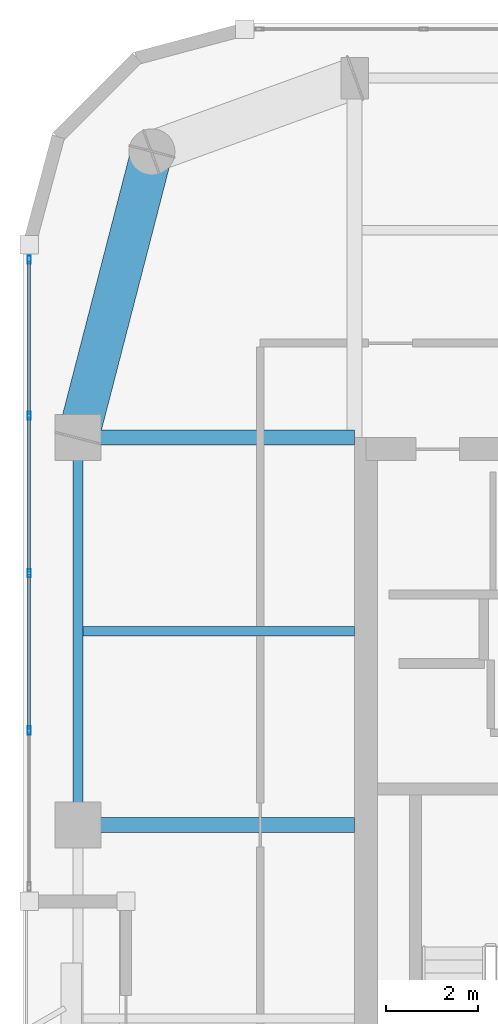
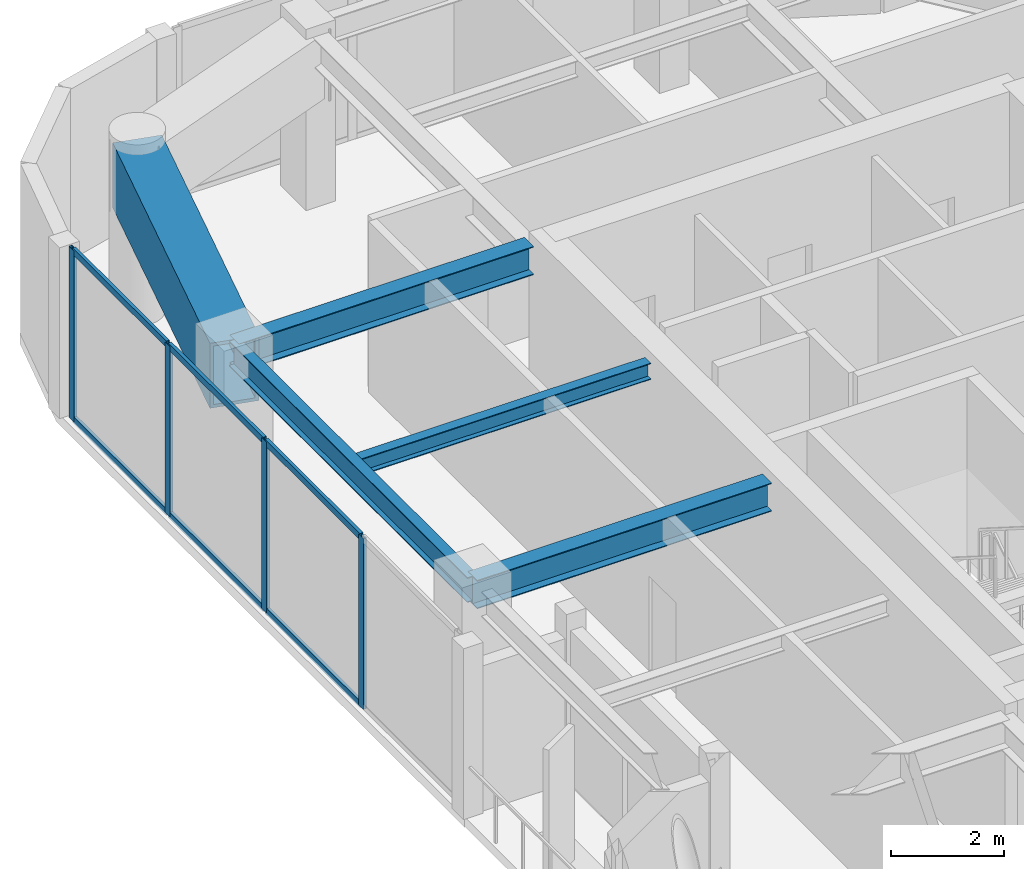
# One storey, part 4 of 15: 10 members, 5 beams, 1 element without a shape of its own.
"""IFC4 building model written with IfcOpenShell, lengths in metres."""

import ifcopenshell
import ifcopenshell.guid

model = None  # the IFC model being written
_history = None  # IfcOwnerHistory: only IFC2X3 demands one
_inside = {}  # id of a spatial element -> (the spatial element, [elements in it])
_under = {}  # id of a project, library or spatial element -> (it, [spatial elements below it])
_declared = {}  # id of a project -> (the project, [libraries it declares])
_typed = {}  # id of a type object -> (the type object, [elements of that type])
_made_of = {}  # id of a material, layer set ... -> (it, [elements and type objects made of it])


def new_model(schema):
    """Start an empty IFC model of exactly this schema.

    Asked for "IFC4X3", IfcOpenShell would pick the latest addendum, in which some entities
    have other attributes; the version numbers below select the first issue.
    IFC2X3 requires an IfcOwnerHistory on every rooted entity: one is made here for all.
    """
    global model, _history
    if schema == "IFC4X3":
        model = ifcopenshell.file(schema_version=(4, 3, 0, 0))
    else:
        model = ifcopenshell.file(schema=schema)
    _inside.clear()
    _under.clear()
    _declared.clear()
    _typed.clear()
    _made_of.clear()
    _history = None
    if model.schema == "IFC2X3":
        org = make("IfcOrganization", Name="unknown")
        user = make(
            "IfcPersonAndOrganization",
            ThePerson=make("IfcPerson", FamilyName="unknown"),
            TheOrganization=org,
        )
        app = make(
            "IfcApplication",
            ApplicationDeveloper=org,
            Version="unknown",
            ApplicationFullName="unknown",
            ApplicationIdentifier="unknown",
        )
        _history = make(
            "IfcOwnerHistory",
            OwningUser=user,
            OwningApplication=app,
            ChangeAction="ADDED",
            CreationDate=0,
        )
    return model


def make(cls, **values):
    """One entity of the class cls with the attributes given. An attribute that is None is left unset."""
    return model.create_entity(
        cls, **{name: value for name, value in values.items() if value is not None}
    )


def rooted(cls, **values):
    """An entity with a GlobalId (a new one), such as an element, a storey or a relation."""
    return make(cls, GlobalId=ifcopenshell.guid.new(), OwnerHistory=_history, **values)


def si_unit(unit_type, name, prefix=None):
    """IfcSIUnit, for example si_unit("LENGTHUNIT", "METRE", prefix="MILLI")."""
    return make("IfcSIUnit", UnitType=unit_type, Prefix=prefix, Name=name)


def assignment(units):
    """IfcUnitAssignment: the units of a project."""
    return None if units is None else make("IfcUnitAssignment", Units=units)


def point(xyz):
    """IfcCartesianPoint."""
    return None if xyz is None else make("IfcCartesianPoint", Coordinates=xyz)


def direction(xyz):
    """IfcDirection."""
    return None if xyz is None else make("IfcDirection", DirectionRatios=xyz)


def frame(location, z_axis=None, x_axis=None):
    """IfcAxis2Placement3D, a coordinate frame: its origin and axes. An axis left out is left unset."""
    return make(
        "IfcAxis2Placement3D",
        Location=point(location),
        Axis=direction(z_axis),
        RefDirection=direction(x_axis),
    )


def frame_2d(location, x_axis=None):
    """IfcAxis2Placement2D, a coordinate frame in the plane: its origin and x axis."""
    return make(
        "IfcAxis2Placement2D", Location=point(location), RefDirection=direction(x_axis)
    )


def origin():
    """The frame at (0, 0, 0) with its axes left unset."""
    return frame((0.0, 0.0, 0.0))


def origin_2d():
    """The frame at (0, 0) in the plane with its x axis left unset."""
    return frame_2d((0.0, 0.0))


def place(relative_to, where):
    """IfcLocalPlacement: puts the frame where relative to a parent placement (None: the world)."""
    return make(
        "IfcLocalPlacement", PlacementRelTo=relative_to, RelativePlacement=where
    )


def context(
    kind, dimensions, precision=None, world=None, true_north=None, identifier=None
):
    """IfcGeometricRepresentationContext, for example the 3D "Model" context."""
    return make(
        "IfcGeometricRepresentationContext",
        ContextIdentifier=identifier,
        ContextType=kind,
        CoordinateSpaceDimension=dimensions,
        Precision=precision,
        WorldCoordinateSystem=world,
        TrueNorth=true_north,
    )


def subcontext(parent, identifier, kind, view, scale=None):
    """IfcGeometricRepresentationSubContext, for example "Body" below "Model"."""
    return make(
        "IfcGeometricRepresentationSubContext",
        ContextIdentifier=identifier,
        ContextType=kind,
        ParentContext=parent,
        TargetScale=scale,
        TargetView=view,
    )


def project(units=None, contexts=None):
    """IfcProject with its units and contexts."""
    return rooted(
        "IfcProject",
        Name="project",
        RepresentationContexts=contexts,
        UnitsInContext=assignment(units),
    )


def spatial(cls, under=None, at=None, **own):
    """A site, building, storey or space (cls), placed at a placement, below another one or the project."""
    s = rooted(cls, ObjectPlacement=at, **own)
    if under is not None:
        _under.setdefault(under.id(), (under, []))[1].append(s)
    return s


def profile(cls, at=None, kind="AREA", **sizes):
    """A parametric profile (cls). Its sizes go by their IFC names, for example OverallWidth=200.0."""
    return make(cls, ProfileType=kind, Position=at, **sizes)


def hollow_rectangle(**sizes):
    """IfcRectangleHollowProfileDef."""
    return profile("IfcRectangleHollowProfileDef", **sizes)


def i_section(**sizes):
    """IfcIShapeProfileDef."""
    return profile("IfcIShapeProfileDef", **sizes)


def extrude(swept, where, along, depth):
    """IfcExtrudedAreaSolid: the profile swept, set in the frame where, extruded along a direction by depth."""
    return make(
        "IfcExtrudedAreaSolid",
        SweptArea=swept,
        Position=where,
        ExtrudedDirection=direction(along),
        Depth=depth,
    )


def shape(context_of_items, identifier, shape_type, items):
    """IfcShapeRepresentation: the items that make up one representation, for example the "Body"."""
    return make(
        "IfcShapeRepresentation",
        ContextOfItems=context_of_items,
        RepresentationIdentifier=identifier,
        RepresentationType=shape_type,
        Items=items,
    )


def material(Name=None, Category=None):
    """IfcMaterial."""
    return make("IfcMaterial", Name=Name, Category=Category)


def layer(
    of_material, thickness, ventilated=None, Name=None, Category=None, Priority=None
):
    """IfcMaterialLayer: one layer of a wall or slab, of a material (None: an air gap)."""
    return make(
        "IfcMaterialLayer",
        Material=of_material,
        LayerThickness=thickness,
        IsVentilated=ventilated,
        Name=Name,
        Category=Category,
        Priority=Priority,
    )


def layer_set(layers, Name=None):
    """IfcMaterialLayerSet."""
    return make("IfcMaterialLayerSet", MaterialLayers=layers, LayerSetName=Name)


def material_profile(
    of_material, cross_section, Name=None, Category=None, Priority=None
):
    """IfcMaterialProfile: a cross section and its material."""
    return make(
        "IfcMaterialProfile",
        Name=Name,
        Material=of_material,
        Profile=cross_section,
        Priority=Priority,
        Category=Category,
    )


def profile_set(profiles, Name=None, composite=None):
    """IfcMaterialProfileSet."""
    return make(
        "IfcMaterialProfileSet",
        Name=Name,
        MaterialProfiles=profiles,
        CompositeProfile=composite,
    )


def made_of(thing, what):
    """Note that an element or type object is made of a material, layer set ...; save() writes the relation."""
    if what is not None:
        _made_of.setdefault(what.id(), (what, []))[1].append(thing)
    return thing


def type_object(cls, material=None, **own):
    """A type object (cls), such as IfcWallType, which elements share."""
    return made_of(rooted(cls, **own), material)


def element(
    cls,
    number,
    at=None,
    inside=None,
    cuts=None,
    type_object=None,
    material=None,
    context=None,
    identifier="Body",
    shape_type=None,
    held_by="IfcProductDefinitionShape",
    body=None,
    shapes=None,
    **own,
):
    """One element of the class cls, such as IfcWall. Its Tag is "e" and its number.

    at: its placement. inside: the storey or other place that contains it. cuts: it is an
    opening in that element (IfcRelVoidsElement). A single representation is given by context,
    identifier, shape_type and body (its items); several are given by shapes. held_by: the class
    of the entity that holds the representations. save() writes the other relations.
    """
    e = rooted(cls, Tag="e%d" % number, ObjectPlacement=at, **own)
    if body is not None:
        shapes = [shape(context, identifier, shape_type, body)]
    if shapes is not None:
        e.Representation = make(held_by, Representations=shapes)
    if inside is not None:
        _inside.setdefault(inside.id(), (inside, []))[1].append(e)
    if cuts is not None:
        rooted(
            "IfcRelVoidsElement", RelatingBuildingElement=cuts, RelatedOpeningElement=e
        )
    if type_object is not None:
        _typed.setdefault(type_object.id(), (type_object, []))[1].append(e)
    return made_of(e, material)


def aggregate(whole, parts):
    """IfcRelAggregates: a whole, such as a stair, and the parts it consists of."""
    return rooted("IfcRelAggregates", RelatingObject=whole, RelatedObjects=parts)


def save(model, path):
    """Write the relations noted so far, then the file.

    IfcRelAggregates (storeys below a building ...), IfcRelContainedInSpatialStructure (elements
    in a storey), IfcRelDefinesByType, IfcRelAssociatesMaterial and IfcRelDeclares: one each for
    every whole, place, type object, material and project.
    """
    for whole, parts in _under.values():
        aggregate(whole, parts)
    for where, things in _inside.values():
        rooted(
            "IfcRelContainedInSpatialStructure",
            RelatedElements=things,
            RelatingStructure=where,
        )
    for kind, things in _typed.values():
        rooted("IfcRelDefinesByType", RelatedObjects=things, RelatingType=kind)
    for what, things in _made_of.values():
        rooted("IfcRelAssociatesMaterial", RelatedObjects=things, RelatingMaterial=what)
    for by, libraries in _declared.values():
        rooted("IfcRelDeclares", RelatingContext=by, RelatedDefinitions=libraries)
    model.write(path)


model = new_model("IFC4")

# Units and contexts
model_context = context("Model", 3, precision=1e-05, world=origin(), true_north=direction((0.0, 1.0)))
body_context = subcontext(model_context, "Body", "Model", "MODEL_VIEW")
ifc_project = project(units=[si_unit("LENGTHUNIT", "METRE"), si_unit("AREAUNIT", "SQUARE_METRE"), si_unit("VOLUMEUNIT", "CUBIC_METRE"), si_unit("PLANEANGLEUNIT", "RADIAN"), si_unit("MASSUNIT", "GRAM", prefix="KILO")], contexts=[model_context])

# Site, building, storey
site_placement = place(None, origin())
site = spatial("IfcSite", under=ifc_project, at=site_placement, CompositionType="ELEMENT")
building_placement = place(site_placement, origin())
building = spatial("IfcBuilding", under=site, at=building_placement, Name="Kiyonajd Concourse Tower", CompositionType="ELEMENT")
storey_placement = place(building_placement, frame((0.0, 0.0, 270.60009765625)))
storey = spatial("IfcBuildingStorey", under=building, at=storey_placement, Name="L68", CompositionType="ELEMENT", Elevation=270.60009765625)

# Beams
ifc_material_1 = material(Name="Steel ASTM A992 Grade 50", Category="steel")
ifc_material_profile_1 = material_profile(ifc_material_1, i_section(OverallWidth=0.205078125, OverallDepth=0.35400390625, WebThickness=0.009521484375, FlangeThickness=0.016845703125, at=origin_2d()), Name="W360X79")
ifc_profile_set_1 = profile_set([ifc_material_profile_1], Name="Steel ASTM A992 Grade 50")
beam_type_1 = type_object("IfcBeamType", Name="BM-JST-360", PredefinedType="JOIST", material=ifc_profile_set_1)
beam_1_placement = place(storey_placement, frame((26.505615234375, 40.199951171875, 3.5029296875), z_axis=(1.0, 0.0, 0.0), x_axis=(0.0, 1.0, 0.0)))
element("IfcBeam", 1, at=beam_1_placement, inside=storey, type_object=beam_type_1, Name="L68 West Secondary Floor Joist", PredefinedType="JOIST", context=body_context, shape_type="SweptSolid", body=[
    extrude(i_section(OverallWidth=0.205078125, OverallDepth=0.35400390625, WebThickness=0.009521484375, FlangeThickness=0.016845703125, at=origin_2d()), origin(), (0.0, 0.0, 1.0), 5.894287109375),
])
ifc_material_profile_2 = material_profile(ifc_material_1, i_section(OverallWidth=0.2109375, OverallDepth=0.5390625, WebThickness=0.01171875, FlangeThickness=0.018798828125, at=origin_2d()), Name="W530X109")
ifc_profile_set_2 = profile_set([ifc_material_profile_2], Name="Steel ASTM A992 Grade 50")
beam_type_2 = type_object("IfcBeamType", Name="BM-SPAN-530B", PredefinedType="SPANDREL", material=ifc_profile_set_2)
beam_2_placement = place(storey_placement, frame((26.39990234375, 44.39990234375, 3.410400390625), z_axis=(0.0, -1.0, 0.0), x_axis=(1.0, 0.0, 0.0)))
element("IfcBeam", 2, at=beam_2_placement, inside=storey, type_object=beam_type_2, Name="L68 Perimeter Bundled Tube Spandrel", PredefinedType="SPANDREL", context=body_context, shape_type="SweptSolid", body=[
    extrude(i_section(OverallWidth=0.2109375, OverallDepth=0.5390625, WebThickness=0.01171875, FlangeThickness=0.018798828125, at=origin_2d()), origin(), (0.0, 0.0, 1.0), 8.39990234375),
])
ifc_material_profile_3 = material_profile(ifc_material_1, i_section(OverallWidth=0.323974609375, OverallDepth=0.611083984375, WebThickness=0.0126953125, FlangeThickness=0.01904296875, at=origin_2d()), Name="W610X155")
ifc_profile_set_3 = profile_set([ifc_material_profile_3], Name="Steel ASTM A992 Grade 50")
beam_type_3 = type_object("IfcBeamType", Name="BM-TWR-610B", PredefinedType="BEAM", material=ifc_profile_set_3)
for number, where, z_axis, x_axis, name in (
    (3, (26.39990234375, 36.0, 3.37451171875), (1.0, 0.0, 0.0), (0.0, 1.0, 0.0), "L68 West Lease Girder"),
    (4, (26.39990234375, 44.39990234375, 3.37451171875), (1.0, 0.0, 0.0), (0.0, 1.0, 0.0), "L68 West Lease Girder"),
):
    element("IfcBeam", number, at=place(storey_placement, frame(where, z_axis=z_axis, x_axis=x_axis)), inside=storey, type_object=beam_type_3, Name=name, PredefinedType="BEAM", context=body_context, shape_type="SweptSolid", body=[
        extrude(i_section(OverallWidth=0.323974609375, OverallDepth=0.611083984375, WebThickness=0.0126953125, FlangeThickness=0.01904296875, at=origin_2d()), origin(), (0.0, 0.0, 1.0), 6.0),
    ])
ifc_material_2 = material(Name="Steel ASTM A572 Grade 50", Category="steel")
ifc_material_profile_4 = material_profile(ifc_material_2, hollow_rectangle(XDim=0.89990234375, YDim=1.39990234375, WallThickness=0.070068359375, at=origin_2d()), Name="BOX-1400x900x70")
ifc_profile_set_4 = profile_set([ifc_material_profile_4], Name="Steel ASTM A572 Grade 50")
beam_type_4 = type_object("IfcBeamType", Name="BM-XFER-1400", PredefinedType="BEAM", material=ifc_profile_set_4)
beam_3_placement = place(storey_placement, frame((28.0, 50.60009765625, 2.97998046875), z_axis=(-0.249884937687, -0.968275538221, 0.0), x_axis=(0.968275538221, -0.249884937687, 0.0)))
element("IfcBeam", 5, at=beam_3_placement, inside=storey, type_object=beam_type_4, Name="L68 Perimeter Bundled Tube Spandrel", PredefinedType="BEAM", context=body_context, shape_type="SweptSolid", body=[
    extrude(hollow_rectangle(XDim=0.89990234375, YDim=1.39990234375, WallThickness=0.070068359375, at=origin_2d()), origin(), (0.0, 0.0, 1.0), 6.4033203125),
])

# Curtain wall, members
ifc_material_3 = material(Name="Thermally Broken Anodised Aluminium", Category="aluminium")
ifc_layer = layer(ifc_material_3, 0.179931640625)
ifc_layer_set = layer_set([ifc_layer], Name="Thermally Broken Anodised Aluminium")
curtain_wall_type = type_object("IfcCurtainWallType", Name="CW-SYS-04", PredefinedType="NOTDEFINED", material=ifc_layer_set)
curtain_wall_placement = place(storey_placement, origin())
curtain_wall = element("IfcCurtainWall", 6, at=curtain_wall_placement, inside=storey, type_object=curtain_wall_type, Name="L68 Unitised Curtain Wall CW4", PredefinedType="NOTDEFINED")
ifc_material_profile_5 = material_profile(ifc_material_3, hollow_rectangle(XDim=0.06494140625, YDim=0.179931640625, WallThickness=0.00390625, at=origin_2d()), Name="MULL-65x180")
ifc_profile_set_5 = profile_set([ifc_material_profile_5], Name="Thermally Broken Anodised Aluminium")
member_type_1 = type_object("IfcMemberType", Name="MB-CW-MULL1", PredefinedType="MULLION", material=ifc_profile_set_5)
member_1_placement = place(storey_placement, frame((25.340087890625, 38.04541015625, 0.0), z_axis=(0.0, 0.0, 1.0), x_axis=(-1.0, 0.0, 0.0)))
member_1 = element("IfcMember", 7, at=member_1_placement, type_object=member_type_1, Name="CW4 mullion 2", PredefinedType="MULLION", context=body_context, shape_type="SweptSolid", body=[
    extrude(hollow_rectangle(XDim=0.06494140625, YDim=0.179931640625, WallThickness=0.00390625, at=origin_2d()), origin(), (0.0, 0.0, 1.0), 3.679931640625),
])
member_2_placement = place(storey_placement, frame((25.340087890625, 41.460693359375, 0.0), z_axis=(0.0, 0.0, 1.0), x_axis=(-1.0, 0.0, 0.0)))
member_2 = element("IfcMember", 8, at=member_2_placement, type_object=member_type_1, Name="CW4 mullion 3", PredefinedType="MULLION", context=body_context, shape_type="SweptSolid", body=[
    extrude(hollow_rectangle(XDim=0.06494140625, YDim=0.179931640625, WallThickness=0.00390625, at=origin_2d()), origin(), (0.0, 0.0, 1.0), 3.679931640625),
])
member_3_placement = place(storey_placement, frame((25.340087890625, 44.876220703125, 0.0), z_axis=(0.0, 0.0, 1.0), x_axis=(-1.0, 0.0, 0.0)))
member_3 = element("IfcMember", 9, at=member_3_placement, type_object=member_type_1, Name="CW4 mullion 4", PredefinedType="MULLION", context=body_context, shape_type="SweptSolid", body=[
    extrude(hollow_rectangle(XDim=0.06494140625, YDim=0.179931640625, WallThickness=0.00390625, at=origin_2d()), origin(), (0.0, 0.0, 1.0), 3.679931640625),
])
member_4_placement = place(storey_placement, frame((25.340087890625, 48.259033203125, 0.0), z_axis=(0.0, 0.0, 1.0), x_axis=(-1.0, 0.0, 0.0)))
member_4 = element("IfcMember", 10, at=member_4_placement, type_object=member_type_1, Name="CW4 mullion 5", PredefinedType="MULLION", context=body_context, shape_type="SweptSolid", body=[
    extrude(hollow_rectangle(XDim=0.06494140625, YDim=0.179931640625, WallThickness=0.00390625, at=origin_2d()), origin(), (0.0, 0.0, 1.0), 3.679931640625),
])
ifc_material_profile_6 = material_profile(ifc_material_3, hollow_rectangle(XDim=0.06494140625, YDim=0.139892578125, WallThickness=0.00390625, at=origin_2d()), Name="TRAN-65x140")
ifc_profile_set_6 = profile_set([ifc_material_profile_6], Name="Thermally Broken Anodised Aluminium")
member_type_2 = type_object("IfcMemberType", Name="MB-CW-TRAN1", PredefinedType="USERDEFINED", material=ifc_profile_set_6)
member_5_placement = place(storey_placement, frame((25.340087890625, 38.077880859375, 0.032470703125), z_axis=(0.0, 1.0, 0.0), x_axis=(-1.0, 0.0, 0.0)))
member_5 = element("IfcMember", 11, at=member_5_placement, type_object=member_type_2, Name="CW4 transom 2.1", ObjectType="TRANSOM", PredefinedType="USERDEFINED", context=body_context, shape_type="SweptSolid", body=[
    extrude(hollow_rectangle(XDim=0.06494140625, YDim=0.139892578125, WallThickness=0.00390625, at=origin_2d()), origin(), (0.0, 0.0, 1.0), 3.350341796875),
])
member_6_placement = place(storey_placement, frame((25.340087890625, 38.077880859375, 3.6474609375), z_axis=(0.0, 1.0, 0.0), x_axis=(-1.0, 0.0, 0.0)))
member_6 = element("IfcMember", 12, at=member_6_placement, type_object=member_type_2, Name="CW4 transom 2.2", ObjectType="TRANSOM", PredefinedType="USERDEFINED", context=body_context, shape_type="SweptSolid", body=[
    extrude(hollow_rectangle(XDim=0.06494140625, YDim=0.139892578125, WallThickness=0.00390625, at=origin_2d()), origin(), (0.0, 0.0, 1.0), 3.350341796875),
])
member_7_placement = place(storey_placement, frame((25.340087890625, 41.493408203125, 0.032470703125), z_axis=(0.0, 1.0, 0.0), x_axis=(-1.0, 0.0, 0.0)))
member_7 = element("IfcMember", 13, at=member_7_placement, type_object=member_type_2, Name="CW4 transom 3.1", ObjectType="TRANSOM", PredefinedType="USERDEFINED", context=body_context, shape_type="SweptSolid", body=[
    extrude(hollow_rectangle(XDim=0.06494140625, YDim=0.139892578125, WallThickness=0.00390625, at=origin_2d()), origin(), (0.0, 0.0, 1.0), 3.350341796875),
])
member_8_placement = place(storey_placement, frame((25.340087890625, 41.493408203125, 3.6474609375), z_axis=(0.0, 1.0, 0.0), x_axis=(-1.0, 0.0, 0.0)))
member_8 = element("IfcMember", 14, at=member_8_placement, type_object=member_type_2, Name="CW4 transom 3.2", ObjectType="TRANSOM", PredefinedType="USERDEFINED", context=body_context, shape_type="SweptSolid", body=[
    extrude(hollow_rectangle(XDim=0.06494140625, YDim=0.139892578125, WallThickness=0.00390625, at=origin_2d()), origin(), (0.0, 0.0, 1.0), 3.350341796875),
])
member_9_placement = place(storey_placement, frame((25.340087890625, 44.90869140625, 0.032470703125), z_axis=(0.0, 1.0, 0.0), x_axis=(-1.0, 0.0, 0.0)))
member_9 = element("IfcMember", 15, at=member_9_placement, type_object=member_type_2, Name="CW4 transom 4.1", ObjectType="TRANSOM", PredefinedType="USERDEFINED", context=body_context, shape_type="SweptSolid", body=[
    extrude(hollow_rectangle(XDim=0.06494140625, YDim=0.139892578125, WallThickness=0.00390625, at=origin_2d()), origin(), (0.0, 0.0, 1.0), 3.31787109375),
])
member_10_placement = place(storey_placement, frame((25.340087890625, 44.90869140625, 3.6474609375), z_axis=(0.0, 1.0, 0.0), x_axis=(-1.0, 0.0, 0.0)))
member_10 = element("IfcMember", 16, at=member_10_placement, type_object=member_type_2, Name="CW4 transom 4.2", ObjectType="TRANSOM", PredefinedType="USERDEFINED", context=body_context, shape_type="SweptSolid", body=[
    extrude(hollow_rectangle(XDim=0.06494140625, YDim=0.139892578125, WallThickness=0.00390625, at=origin_2d()), origin(), (0.0, 0.0, 1.0), 3.31787109375),
])
aggregate(curtain_wall, [member_1, member_2, member_3, member_4, member_5, member_6, member_7, member_8, member_9, member_10])

save(model, "model.ifc")
